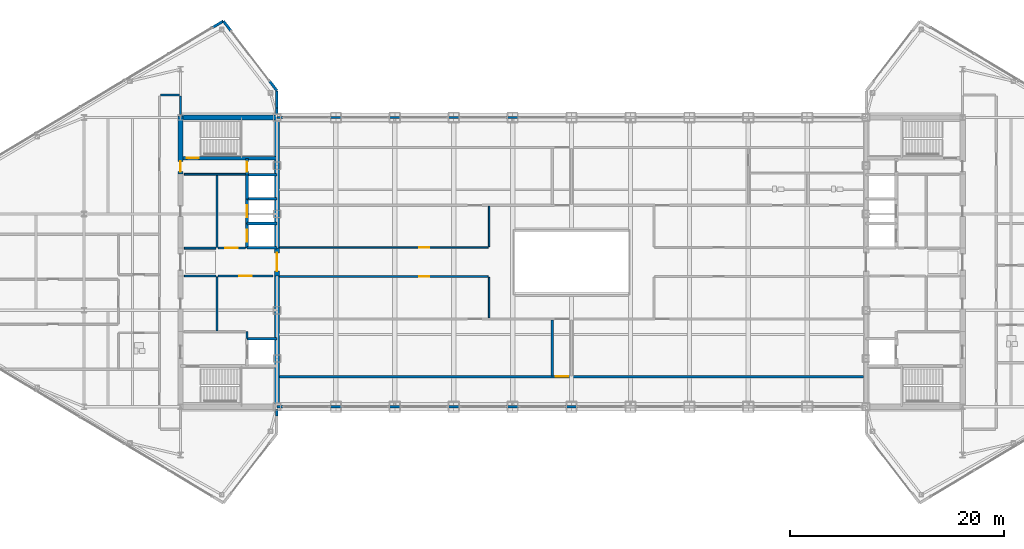
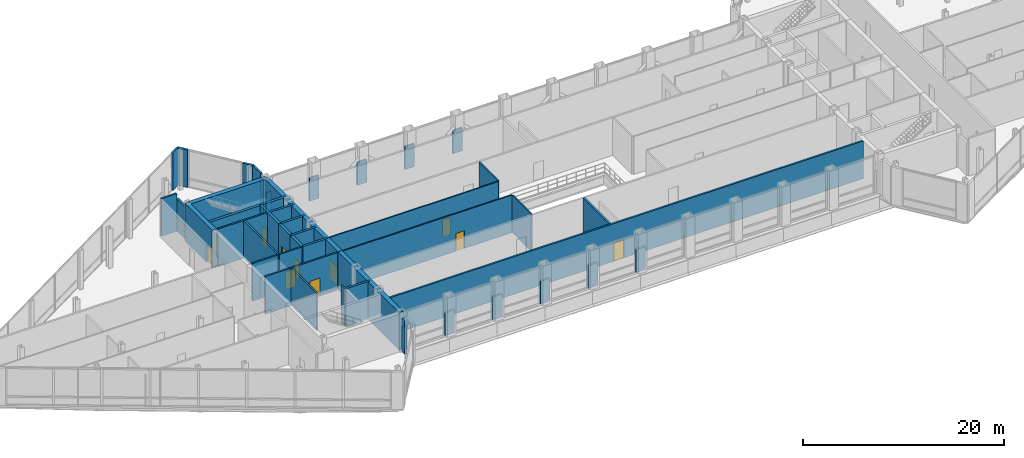
# One storey, part 23 of 30: 48 walls, 11 doors, 11 openings.
"""IFC4 building model written with IfcOpenShell, lengths in metres."""

from ifc_helpers import new_model, si_unit, direction, frame, frame_2d, origin, place, context, subcontext, project, spatial, rectangle, extrude, source, transform, mapped, material, layer, layer_set, type_object, type_shapes, element, fill, save


model = new_model("IFC4")

# Units and contexts
model_context = context("Model", 3, precision=1e-05, world=origin(), true_north=direction((0.0, 1.0)))
body_context = subcontext(model_context, "Body", "Model", "MODEL_VIEW")
ifc_project = project(units=[si_unit("LENGTHUNIT", "METRE"), si_unit("AREAUNIT", "SQUARE_METRE"), si_unit("VOLUMEUNIT", "CUBIC_METRE"), si_unit("PLANEANGLEUNIT", "RADIAN"), si_unit("MASSUNIT", "GRAM", prefix="KILO")], contexts=[model_context])

# Site, building, storey
site_placement = place(None, origin())
site = spatial("IfcSite", under=ifc_project, at=site_placement, CompositionType="ELEMENT")
building_placement = place(site_placement, origin())
building = spatial("IfcBuilding", under=site, at=building_placement, Name="Seokmaru Belvedere", CompositionType="ELEMENT")
storey_placement = place(building_placement, frame((0.0, 0.0, 234.60009765625)))
storey = spatial("IfcBuildingStorey", under=building, at=storey_placement, Name="L62", CompositionType="ELEMENT", Elevation=234.60009765625)

# Wall, opening, door
ifc_material_1 = material(Name="Fire-Rated Gypsum Shaftwall")
ifc_layer_1 = layer(ifc_material_1, 0.14990234375)
ifc_layer_set_1 = layer_set([ifc_layer_1], Name="Fire-Rated Gypsum Shaftwall")
wall_type_1 = type_object("IfcWallType", Name="Apartment Fire-Acoustic Room Partition 150", PredefinedType="PARTITIONING", material=ifc_layer_set_1)
wall_1_placement = place(storey_placement, frame((-27.2451171875, -1.35009765625, 0.0), z_axis=(0.0, 0.0, 1.0), x_axis=(1.0, 0.0, 0.0)))
wall_1 = element("IfcWall", 1, at=wall_1_placement, inside=storey, type_object=wall_type_1, Name="L62 Interior Partition 012", PredefinedType="PARTITIONING", context=body_context, shape_type="SweptSolid", body=[
    extrude(rectangle(XDim=19.460205078125, YDim=0.14990234375, at=frame_2d((9.72998046875, 0.0))), origin(), (0.0, 0.0, 1.0), 4.579833984375),
])
opening_1_placement = place(wall_1_placement, frame((13.02001953125, 0.0, 0.0)))
opening_1 = element("IfcOpeningElement", 2, at=opening_1_placement, cuts=wall_1, Name="Opening D05", PredefinedType="OPENING", context=body_context, shape_type="SweptSolid", body=[
    extrude(rectangle(XDim=0.949951171875, YDim=2.14990234375, at=frame_2d((0.47509765625, 1.074951171875))), frame((0.0, 0.0849609375, 0.0), z_axis=(0.0, -1.0, 0.0), x_axis=(1.0, 0.0, 0.0)), (0.0, 0.0, 1.0), 0.169921875),
])
ifc_material_2 = material(Name="Engineered White Oak Timber", Category="wood")
door_type_1 = type_object("IfcDoorType", Name="Apartment Interior Fire-Rated Oak Door 950x2150", OperationType="NOTDEFINED", PredefinedType="DOOR", material=ifc_material_2)
shared_shape_1 = source(origin(), body_context, "Body", "SweptSolid", [
    extrude(rectangle(XDim=0.949951171875, YDim=2.14990234375, at=frame_2d((0.47509765625, 1.074951171875))), frame((0.0, 0.02490234375, 0.0), z_axis=(0.0, -1.0, 0.0), x_axis=(1.0, 0.0, 0.0)), (0.0, 0.0, 1.0), 0.050048828125),
])
type_shapes(door_type_1, [shared_shape_1])
door_1_placement = place(opening_1_placement, origin())
door_1 = element("IfcDoor", 3, at=door_1_placement, inside=storey, type_object=door_type_1, Name="L62 Interior Door 023", OperationType="SINGLE_SWING_LEFT", OverallHeight=2.14990234375, OverallWidth=0.949951171875, PredefinedType="DOOR", context=body_context, shape_type="MappedRepresentation", body=[
    mapped(shared_shape_1, transform((0.0, 0.0, 0.0), scale=1.0)),
])
fill(opening_1, door_1)

wall_2_placement = place(storey_placement, frame((-27.2451171875, 1.35009765625, 0.0), z_axis=(0.0, 0.0, 1.0), x_axis=(1.0, 0.0, 0.0)))
wall_2 = element("IfcWall", 4, at=wall_2_placement, inside=storey, type_object=wall_type_1, Name="L62 Interior Partition 017", PredefinedType="PARTITIONING", context=body_context, shape_type="SweptSolid", body=[
    extrude(rectangle(XDim=19.460205078125, YDim=0.14990234375, at=frame_2d((9.72998046875, 0.0))), origin(), (0.0, 0.0, 1.0), 4.579833984375),
])
opening_2_placement = place(wall_2_placement, frame((13.02001953125, 0.0, 0.0)))
opening_2 = element("IfcOpeningElement", 5, at=opening_2_placement, cuts=wall_2, Name="Opening D05", PredefinedType="OPENING", context=body_context, shape_type="SweptSolid", body=[
    extrude(rectangle(XDim=0.949951171875, YDim=2.14990234375, at=frame_2d((0.47509765625, 1.074951171875))), frame((0.0, 0.0849609375, 0.0), z_axis=(0.0, -1.0, 0.0), x_axis=(1.0, 0.0, 0.0)), (0.0, 0.0, 1.0), 0.169921875),
])
door_2_placement = place(opening_2_placement, origin())
door_2 = element("IfcDoor", 6, at=door_2_placement, inside=storey, type_object=door_type_1, Name="L62 Interior Door 025", OperationType="SINGLE_SWING_RIGHT", OverallHeight=2.14990234375, OverallWidth=0.949951171875, PredefinedType="DOOR", context=body_context, shape_type="MappedRepresentation", body=[
    mapped(shared_shape_1, transform((0.0, 0.0, 0.0), scale=1.0)),
])
fill(opening_2, door_2)

# Walls
for number, where, z_axis, x_axis, name in (
    (7, (-7.699951171875, -5.215087890625, 0.0), (0.0, 0.0, 1.0), (0.0, 1.0, 0.0), "L62 Interior Partition 033"),
    (8, (-7.699951171875, 1.43505859375, 0.0), (0.0, 0.0, 1.0), (0.0, 1.0, 0.0), "L62 Interior Partition 034"),
):
    element("IfcWall", number, at=place(storey_placement, frame(where, z_axis=z_axis, x_axis=x_axis)), inside=storey, type_object=wall_type_1, Name=name, PredefinedType="PARTITIONING", context=body_context, shape_type="SweptSolid", body=[
        extrude(rectangle(XDim=3.780029296875, YDim=0.14990234375, at=frame_2d((1.89013671875, 0.0))), origin(), (0.0, 0.0, 1.0), 4.579833984375),
    ])
ifc_material_3 = material(Name="Anodised Bronze Aluminium", Category="aluminium")
ifc_layer_2 = layer(ifc_material_3, 0.2099609375)
ifc_layer_set_2 = layer_set([ifc_layer_2], Name="Anodised Bronze Aluminium")
wall_type_2 = type_object("IfcWallType", Name="Bridge Column Spandrel Closure Pier 210", PredefinedType="SOLIDWALL", material=ifc_layer_set_2)
for number, where, z_axis, x_axis, name in (
    (9, (-27.489990234375, -13.5, 0.0), (0.0, 0.0, 1.0), (1.0, 0.0, 0.0), "L62 Bridge South Column Closure Pier 01"),
    (10, (-27.489990234375, 13.5, 0.0), (0.0, 0.0, 1.0), (1.0, 0.0, 0.0), "L62 Bridge North Column Closure Pier 01"),
):
    element("IfcWall", number, at=place(storey_placement, frame(where, z_axis=z_axis, x_axis=x_axis)), inside=storey, type_object=wall_type_2, Name=name, PredefinedType="SOLIDWALL", context=body_context, shape_type="SweptSolid", body=[
        extrude(rectangle(XDim=0.5400390625, YDim=0.2099609375, at=frame_2d((0.27001953125, 0.0))), origin(), (0.0, 0.0, 1.0), 2.77978515625),
    ])
for number, where, z_axis, x_axis, name in (
    (11, (-22.550048828125, -13.5, 0.0), (0.0, 0.0, 1.0), (1.0, 0.0, 0.0), "L62 Bridge South Column Closure Pier 02"),
    (12, (-22.550048828125, 13.5, 0.0), (0.0, 0.0, 1.0), (1.0, 0.0, 0.0), "L62 Bridge North Column Closure Pier 02"),
    (13, (-17.050048828125, -13.5, 0.0), (0.0, 0.0, 1.0), (1.0, 0.0, 0.0), "L62 Bridge South Column Closure Pier 03"),
    (14, (-17.050048828125, 13.5, 0.0), (0.0, 0.0, 1.0), (1.0, 0.0, 0.0), "L62 Bridge North Column Closure Pier 03"),
    (15, (-11.550048828125, -13.5, 0.0), (0.0, 0.0, 1.0), (1.0, 0.0, 0.0), "L62 Bridge South Column Closure Pier 04"),
    (16, (-11.550048828125, 13.5, 0.0), (0.0, 0.0, 1.0), (1.0, 0.0, 0.0), "L62 Bridge North Column Closure Pier 04"),
    (17, (-6.050048828125, -13.5, 0.0), (0.0, 0.0, 1.0), (1.0, 0.0, 0.0), "L62 Bridge South Column Closure Pier 05"),
    (18, (-6.050048828125, 13.5, 0.0), (0.0, 0.0, 1.0), (1.0, 0.0, 0.0), "L62 Bridge North Column Closure Pier 05"),
    (19, (-0.550048828125, -13.5, 0.0), (0.0, 0.0, 1.0), (1.0, 0.0, 0.0), "L62 Bridge South Column Closure Pier 06"),
):
    element("IfcWall", number, at=place(storey_placement, frame(where, z_axis=z_axis, x_axis=x_axis)), inside=storey, type_object=wall_type_2, Name=name, PredefinedType="SOLIDWALL", context=body_context, shape_type="SweptSolid", body=[
        extrude(rectangle(XDim=1.10009765625, YDim=0.2099609375, at=frame_2d((0.550048828125, 0.0))), origin(), (0.0, 0.0, 1.0), 2.77978515625),
    ])
ifc_layer_3 = layer(ifc_material_1, 0.179931640625)
ifc_layer_set_3 = layer_set([ifc_layer_3], Name="Fire-Rated Gypsum Shaftwall")
wall_type_3 = type_object("IfcWallType", Name="Core Service Fire Partition 180", PredefinedType="PARTITIONING", material=ifc_layer_set_3)
wall_3_placement = place(storey_placement, frame((-30.300048828125, -7.1201171875, 0.0), z_axis=(0.0, 0.0, 1.0), x_axis=(0.0, 1.0, 0.0)))
element("IfcWall", 20, at=wall_3_placement, inside=storey, type_object=wall_type_3, Name="L62 West Firefighting Lobby East Closure Wall", PredefinedType="PARTITIONING", context=body_context, shape_type="SweptSolid", body=[
    extrude(rectangle(XDim=0.6201171875, YDim=0.179931640625, at=frame_2d((0.31005859375, 0.0))), origin(), (0.0, 0.0, 1.0), 4.579833984375),
])
wall_4_placement = place(storey_placement, frame((-36.14990234375, 8.199951171875, 0.0), z_axis=(0.0, 0.0, 1.0), x_axis=(1.0, 0.0, 0.0)))
element("IfcWall", 21, at=wall_4_placement, inside=storey, type_object=wall_type_3, Name="L62 West Smokeproof Vestibule Partition", PredefinedType="PARTITIONING", context=body_context, shape_type="SweptSolid", body=[
    extrude(rectangle(XDim=5.699951171875, YDim=0.179931640625, at=frame_2d((2.85009765625, 0.0))), origin(), (0.0, 0.0, 1.0), 4.579833984375),
])
wall_5_placement = place(storey_placement, frame((-33.10009765625, -6.419921875, 0.0), z_axis=(0.0, 0.0, 1.0), x_axis=(0.0, 1.0, 0.0)))
element("IfcWall", 22, at=wall_5_placement, inside=storey, type_object=wall_type_3, Name="L62 West South Core Service Back Wall", PredefinedType="PARTITIONING", context=body_context, shape_type="SweptSolid", body=[
    extrude(rectangle(XDim=5.0400390625, YDim=0.179931640625, at=frame_2d((2.52001953125, 0.0))), origin(), (0.0, 0.0, 1.0), 4.579833984375),
])
wall_6_placement = place(storey_placement, frame((-33.10009765625, 1.3798828125, 0.0), z_axis=(0.0, 0.0, 1.0), x_axis=(0.0, 1.0, 0.0)))
element("IfcWall", 23, at=wall_6_placement, inside=storey, type_object=wall_type_3, Name="L62 West North Core Service Back Wall", PredefinedType="PARTITIONING", context=body_context, shape_type="SweptSolid", body=[
    extrude(rectangle(XDim=6.740234375, YDim=0.179931640625, at=frame_2d((3.3701171875, 0.0))), origin(), (0.0, 0.0, 1.0), 4.579833984375),
])

# Wall, opening, door
wall_7_placement = place(storey_placement, frame((-33.02001953125, -1.300048828125, 0.0), z_axis=(0.0, 0.0, 1.0), x_axis=(1.0, 0.0, 0.0)))
wall_7 = element("IfcWall", 24, at=wall_7_placement, inside=storey, type_object=wall_type_3, Name="L62 West South Lift Lobby Foyer Wall", PredefinedType="PARTITIONING", context=body_context, shape_type="SweptSolid", body=[
    extrude(rectangle(XDim=5.169921875, YDim=0.179931640625, at=frame_2d((2.5849609375, 0.0))), origin(), (0.0, 0.0, 1.0), 4.579833984375),
])
opening_3_placement = place(wall_7_placement, frame((2.010009765625, 0.0, 0.0)))
opening_3 = element("IfcOpeningElement", 25, at=opening_3_placement, cuts=wall_7, Name="Opening D02", PredefinedType="OPENING", context=body_context, shape_type="SweptSolid", body=[
    extrude(rectangle(XDim=1.14990234375, YDim=2.199951171875, at=frame_2d((0.574951171875, 1.10009765625))), frame((0.0, 0.10009765625, 0.0), z_axis=(0.0, -1.0, 0.0), x_axis=(1.0, 0.0, 0.0)), (0.0, 0.0, 1.0), 0.199951171875),
])
ifc_material_4 = material(Name="Fire-Rated Steel Leaf", Category="steel")
door_type_2 = type_object("IfcDoorType", Name="Lobby and Vestibule Fire Door 1150x2200", OperationType="NOTDEFINED", PredefinedType="DOOR", material=ifc_material_4)
shared_shape_2 = source(origin(), body_context, "Body", "SweptSolid", [
    extrude(rectangle(XDim=1.14990234375, YDim=2.199951171875, at=frame_2d((0.574951171875, 1.10009765625))), frame((0.0, 0.02490234375, 0.0), z_axis=(0.0, -1.0, 0.0), x_axis=(1.0, 0.0, 0.0)), (0.0, 0.0, 1.0), 0.050048828125),
])
type_shapes(door_type_2, [shared_shape_2])
door_3_placement = place(opening_3_placement, origin())
door_3 = element("IfcDoor", 26, at=door_3_placement, inside=storey, type_object=door_type_2, Name="L62 West South Core Foyer Door", OperationType="SINGLE_SWING_LEFT", OverallHeight=2.199951171875, OverallWidth=1.14990234375, PredefinedType="DOOR", context=body_context, shape_type="MappedRepresentation", body=[
    mapped(shared_shape_2, transform((0.0, 0.0, 0.0), scale=1.0)),
])
fill(opening_3, door_3)

wall_8_placement = place(storey_placement, frame((-33.02001953125, 1.300048828125, 0.0), z_axis=(0.0, 0.0, 1.0), x_axis=(1.0, 0.0, 0.0)))
wall_8 = element("IfcWall", 27, at=wall_8_placement, inside=storey, type_object=wall_type_3, Name="L62 West North Lift Lobby Foyer Wall", PredefinedType="PARTITIONING", context=body_context, shape_type="SweptSolid", body=[
    extrude(rectangle(XDim=2.570068359375, YDim=0.179931640625, at=frame_2d((1.28515625, 0.0))), origin(), (0.0, 0.0, 1.0), 4.579833984375),
])
opening_4_placement = place(wall_8_placement, frame((0.7099609375, 0.0, 0.0)))
opening_4 = element("IfcOpeningElement", 28, at=opening_4_placement, cuts=wall_8, Name="Opening D02", PredefinedType="OPENING", context=body_context, shape_type="SweptSolid", body=[
    extrude(rectangle(XDim=1.14990234375, YDim=2.199951171875, at=frame_2d((0.574951171875, 1.10009765625))), frame((0.0, 0.10009765625, 0.0), z_axis=(0.0, -1.0, 0.0), x_axis=(1.0, 0.0, 0.0)), (0.0, 0.0, 1.0), 0.199951171875),
])
door_4_placement = place(opening_4_placement, origin())
door_4 = element("IfcDoor", 29, at=door_4_placement, inside=storey, type_object=door_type_2, Name="L62 West North Lift Lobby Door", OperationType="SINGLE_SWING_RIGHT", OverallHeight=2.199951171875, OverallWidth=1.14990234375, PredefinedType="DOOR", context=body_context, shape_type="MappedRepresentation", body=[
    mapped(shared_shape_2, transform((0.0, 0.0, 0.0), scale=1.0)),
])
fill(opening_4, door_4)

# Walls
for number, where, z_axis, x_axis, name in (
    (30, (-36.14990234375, -1.300048828125, 0.0), (0.0, 0.0, 1.0), (1.0, 0.0, 0.0), "L62 West Foyer Side Wall S"),
    (31, (-36.14990234375, 1.300048828125, 0.0), (0.0, 0.0, 1.0), (1.0, 0.0, 0.0), "L62 West Foyer Side Wall N"),
):
    element("IfcWall", number, at=place(storey_placement, frame(where, z_axis=z_axis, x_axis=x_axis)), inside=storey, type_object=wall_type_3, Name=name, PredefinedType="PARTITIONING", context=body_context, shape_type="SweptSolid", body=[
        extrude(rectangle(XDim=2.949951171875, YDim=0.179931640625, at=frame_2d((1.47509765625, 0.0))), origin(), (0.0, 0.0, 1.0), 4.579833984375),
    ])
ifc_material_5 = material(Name="Concrete C50 (50 MPa)", Category="concrete")
ifc_layer_4 = layer(ifc_material_5, 0.25)
ifc_layer_set_4 = layer_set([ifc_layer_4], Name="Concrete C50 (50 MPa)")
wall_type_4 = type_object("IfcWallType", Name="Hoistway Transverse Concrete Divider Wall 250", PredefinedType="SHEAR", material=ifc_layer_set_4)
for number, where, z_axis, x_axis, name in (
    (32, (-30.300048828125, -7.14990234375, 0.0), (0.0, 0.0, 1.0), (1.0, 0.0, 0.0), "L62 West Hoistway Divider Core Wall 1"),
    (33, (-30.300048828125, 1.35009765625, 0.0), (0.0, 0.0, 1.0), (1.0, 0.0, 0.0), "L62 West Hoistway Divider Core Wall 2"),
    (34, (-30.300048828125, 3.60009765625, 0.0), (0.0, 0.0, 1.0), (1.0, 0.0, 0.0), "L62 West Hoistway Divider Core Wall 3"),
    (35, (-30.300048828125, 5.89990234375, 0.0), (0.0, 0.0, 1.0), (1.0, 0.0, 0.0), "L62 West Hoistway Divider Core Wall 4"),
    (36, (-30.300048828125, 8.14990234375, 0.0), (0.0, 0.0, 1.0), (1.0, 0.0, 0.0), "L62 West Hoistway Divider Core Wall 5"),
):
    element("IfcWall", number, at=place(storey_placement, frame(where, z_axis=z_axis, x_axis=x_axis)), inside=storey, type_object=wall_type_4, Name=name, PredefinedType="SHEAR", context=body_context, shape_type="SweptSolid", body=[
        extrude(rectangle(XDim=2.800048828125, YDim=0.25, at=frame_2d((1.39990234375, 0.0))), origin(), (0.0, 0.0, 1.0), 4.579833984375),
    ])

# Wall, opening, door
ifc_layer_5 = layer(ifc_material_1, 0.199951171875)
ifc_layer_set_5 = layer_set([ifc_layer_5], Name="Fire-Rated Gypsum Shaftwall")
wall_type_5 = type_object("IfcWallType", Name="Inter-Tenancy Fire Compartment Partition 200", PredefinedType="PARTITIONING", material=ifc_layer_set_5)
wall_9_placement = place(storey_placement, frame((-27.2451171875, -10.699951171875, 0.0), z_axis=(0.0, 0.0, 1.0), x_axis=(1.0, 0.0, 0.0)))
wall_9 = element("IfcWall", 37, at=wall_9_placement, inside=storey, type_object=wall_type_5, Name="L62 Interior Partition 003", PredefinedType="PARTITIONING", context=body_context, shape_type="SweptSolid", body=[
    extrude(rectangle(XDim=54.490234375, YDim=0.199951171875, at=frame_2d((27.2451171875, 0.0))), origin(), (0.0, 0.0, 1.0), 4.579833984375),
])
opening_5_placement = place(wall_9_placement, frame((25.77001953125, 0.0, 0.0)))
opening_5 = element("IfcOpeningElement", 38, at=opening_5_placement, cuts=wall_9, Name="Opening D02", PredefinedType="OPENING", context=body_context, shape_type="SweptSolid", body=[
    extrude(rectangle(XDim=1.14990234375, YDim=2.199951171875, at=frame_2d((0.574951171875, 1.10009765625))), frame((0.0, 0.10986328125, 0.0), z_axis=(0.0, -1.0, 0.0), x_axis=(1.0, 0.0, 0.0)), (0.0, 0.0, 1.0), 0.219970703125),
])
door_5_placement = place(opening_5_placement, origin())
door_5 = element("IfcDoor", 39, at=door_5_placement, inside=storey, type_object=door_type_2, Name="L62 Interior Door 029", OperationType="SINGLE_SWING_LEFT", OverallHeight=2.199951171875, OverallWidth=1.14990234375, PredefinedType="DOOR", context=body_context, shape_type="MappedRepresentation", body=[
    mapped(shared_shape_2, transform((0.0, 0.0, 0.0), scale=1.0)),
])
fill(opening_5, door_5)

# Walls
wall_10_placement = place(storey_placement, frame((-38.364990234375, 15.60009765625, 0.0), z_axis=(0.0, 0.0, 1.0), x_axis=(1.0, 0.0, 0.0)))
element("IfcWall", 40, at=wall_10_placement, inside=storey, type_object=wall_type_5, Name="L62 Interior Partition 024", PredefinedType="PARTITIONING", context=body_context, shape_type="SweptSolid", body=[
    extrude(rectangle(XDim=1.780029296875, YDim=0.199951171875, at=frame_2d((0.89013671875, 0.0))), origin(), (0.0, 0.0, 1.0), 4.579833984375),
])
wall_11_placement = place(storey_placement, frame((-36.5, 13.7548828125, 0.0), z_axis=(0.0, 0.0, 1.0), x_axis=(0.0, 1.0, 0.0)))
element("IfcWall", 41, at=wall_11_placement, inside=storey, type_object=wall_type_5, Name="L62 Interior Partition 032", PredefinedType="PARTITIONING", context=body_context, shape_type="SweptSolid", body=[
    extrude(rectangle(XDim=1.760009765625, YDim=0.199951171875, at=frame_2d((0.8798828125, 0.0))), origin(), (0.0, 0.0, 1.0), 3.97998046875),
])
wall_12_placement = place(storey_placement, frame((-1.800048828125, -10.614990234375, 0.0), z_axis=(0.0, 0.0, 1.0), x_axis=(0.0, 1.0, 0.0)))
element("IfcWall", 42, at=wall_12_placement, inside=storey, type_object=wall_type_5, Name="L62 Interior Partition 035", PredefinedType="PARTITIONING", context=body_context, shape_type="SweptSolid", body=[
    extrude(rectangle(XDim=5.22998046875, YDim=0.199951171875, at=frame_2d((2.614990234375, 0.0))), origin(), (0.0, 0.0, 1.0), 4.579833984375),
])

# Wall, opening, door
ifc_layer_6 = layer(ifc_material_5, 0.300048828125)
ifc_layer_set_6 = layer_set([ifc_layer_6], Name="Concrete C50 (50 MPa)")
wall_type_6 = type_object("IfcWallType", Name="Internal Core Stair and Hoistway Wall 300", PredefinedType="SHEAR", material=ifc_layer_set_6)
wall_13_placement = place(storey_placement, frame((-36.5, 9.699951171875, 0.0), z_axis=(0.0, 0.0, 1.0), x_axis=(1.0, 0.0, 0.0)))
wall_13 = element("IfcWall", 43, at=wall_13_placement, inside=storey, type_object=wall_type_6, Name="L62 West Stair ST-2 Enclosure Wall", PredefinedType="SHEAR", context=body_context, shape_type="SweptSolid", body=[
    extrude(rectangle(XDim=9.0, YDim=0.300048828125, at=frame_2d((4.5, 0.0))), origin(), (0.0, 0.0, 1.0), 4.579833984375),
])
opening_6_placement = place(wall_13_placement, frame((0.60009765625, 0.0, 0.0)))
opening_6 = element("IfcOpeningElement", 44, at=opening_6_placement, cuts=wall_13, Name="Opening D01", PredefinedType="OPENING", context=body_context, shape_type="SweptSolid", body=[
    extrude(rectangle(XDim=1.10009765625, YDim=2.199951171875, at=frame_2d((0.550048828125, 1.10009765625))), frame((0.0, 0.16015625, 0.0), z_axis=(0.0, -1.0, 0.0), x_axis=(1.0, 0.0, 0.0)), (0.0, 0.0, 1.0), 0.320068359375),
])
door_type_3 = type_object("IfcDoorType", Name="Special Escape Stair Smokeproof Fire Door 1100x2200", OperationType="NOTDEFINED", PredefinedType="DOOR", material=ifc_material_4)
shared_shape_3 = source(origin(), body_context, "Body", "SweptSolid", [
    extrude(rectangle(XDim=1.10009765625, YDim=2.199951171875, at=frame_2d((0.550048828125, 1.10009765625))), frame((0.0, 0.02490234375, 0.0), z_axis=(0.0, -1.0, 0.0), x_axis=(1.0, 0.0, 0.0)), (0.0, 0.0, 1.0), 0.050048828125),
])
type_shapes(door_type_3, [shared_shape_3])
door_6_placement = place(opening_6_placement, origin())
door_6 = element("IfcDoor", 45, at=door_6_placement, inside=storey, type_object=door_type_3, Name="L62 West Special Escape Stair ST-2 Door", OperationType="SINGLE_SWING_RIGHT", OverallHeight=2.199951171875, OverallWidth=1.10009765625, PredefinedType="DOOR", context=body_context, shape_type="MappedRepresentation", body=[
    mapped(shared_shape_3, transform((0.0, 0.0, 0.0), scale=1.0)),
])
fill(opening_6, door_6)

wall_14_placement = place(storey_placement, frame((-30.300048828125, 1.320068359375, 0.0), z_axis=(0.0, 0.0, 1.0), x_axis=(0.0, 1.0, 0.0)))
wall_14 = element("IfcWall", 46, at=wall_14_placement, inside=storey, type_object=wall_type_6, Name="L62 West North Hoistway Wall PH1", PredefinedType="SHEAR", context=body_context, shape_type="SweptSolid", body=[
    extrude(rectangle(XDim=2.280029296875, YDim=0.300048828125, at=frame_2d((1.14013671875, 0.0))), origin(), (0.0, 0.0, 1.0), 4.579833984375),
])
opening_7_placement = place(wall_14_placement, frame((0.590087890625, 0.0, 0.0)))
opening_7 = element("IfcOpeningElement", 47, at=opening_7_placement, cuts=wall_14, Name="Opening LD1", PredefinedType="OPENING", context=body_context, shape_type="SweptSolid", body=[
    extrude(rectangle(XDim=1.10009765625, YDim=2.199951171875, at=frame_2d((0.550048828125, 1.10009765625))), frame((0.0, 0.16015625, 0.0), z_axis=(0.0, -1.0, 0.0), x_axis=(1.0, 0.0, 0.0)), (0.0, 0.0, 1.0), 0.320068359375),
])
ifc_material_6 = material(Name="Stainless Steel 316", Category="steel")
door_type_4 = type_object("IfcDoorType", Name="Passenger Lift Sliding Landing Door 1100x2200", OperationType="DOUBLE_DOOR_SLIDING", PredefinedType="DOOR", material=ifc_material_6)
shared_shape_4 = source(origin(), body_context, "Body", "SweptSolid", [
    extrude(rectangle(XDim=1.10009765625, YDim=2.199951171875, at=frame_2d((0.550048828125, 1.10009765625))), frame((0.0, 0.02490234375, 0.0), z_axis=(0.0, -1.0, 0.0), x_axis=(1.0, 0.0, 0.0)), (0.0, 0.0, 1.0), 0.050048828125),
])
type_shapes(door_type_4, [shared_shape_4])
door_7_placement = place(opening_7_placement, origin())
door_7 = element("IfcDoor", 48, at=door_7_placement, inside=storey, type_object=door_type_4, Name="L62 West High-Rise Lift PH-1 Landing Door", OperationType="DOUBLE_DOOR_SLIDING", OverallHeight=2.199951171875, OverallWidth=1.10009765625, PredefinedType="DOOR", context=body_context, shape_type="MappedRepresentation", body=[
    mapped(shared_shape_4, transform((0.0, 0.0, 0.0), scale=1.0)),
])
fill(opening_7, door_7)

wall_15_placement = place(storey_placement, frame((-30.300048828125, 3.60009765625, 0.0), z_axis=(0.0, 0.0, 1.0), x_axis=(0.0, 1.0, 0.0)))
wall_15 = element("IfcWall", 49, at=wall_15_placement, inside=storey, type_object=wall_type_6, Name="L62 West North Hoistway Wall PH2", PredefinedType="SHEAR", context=body_context, shape_type="SweptSolid", body=[
    extrude(rectangle(XDim=2.2998046875, YDim=0.300048828125, at=frame_2d((1.14990234375, 0.0))), origin(), (0.0, 0.0, 1.0), 4.579833984375),
])
opening_8_placement = place(wall_15_placement, frame((0.60009765625, 0.0, 0.0)))
opening_8 = element("IfcOpeningElement", 50, at=opening_8_placement, cuts=wall_15, Name="Opening LD1", PredefinedType="OPENING", context=body_context, shape_type="SweptSolid", body=[
    extrude(rectangle(XDim=1.10009765625, YDim=2.199951171875, at=frame_2d((0.550048828125, 1.10009765625))), frame((0.0, 0.16015625, 0.0), z_axis=(0.0, -1.0, 0.0), x_axis=(1.0, 0.0, 0.0)), (0.0, 0.0, 1.0), 0.320068359375),
])
door_8_placement = place(opening_8_placement, origin())
door_8 = element("IfcDoor", 51, at=door_8_placement, inside=storey, type_object=door_type_4, Name="L62 West High-Rise Lift PH-2 Landing Door", OperationType="DOUBLE_DOOR_SLIDING", OverallHeight=2.199951171875, OverallWidth=1.10009765625, PredefinedType="DOOR", context=body_context, shape_type="MappedRepresentation", body=[
    mapped(shared_shape_4, transform((0.0, 0.0, 0.0), scale=1.0)),
])
fill(opening_8, door_8)

# Wall
wall_16_placement = place(storey_placement, frame((-30.300048828125, 5.89990234375, 0.0), z_axis=(0.0, 0.0, 1.0), x_axis=(0.0, 1.0, 0.0)))
element("IfcWall", 52, at=wall_16_placement, inside=storey, type_object=wall_type_6, Name="L62 West North Hoistway Wall OBS", PredefinedType="SHEAR", context=body_context, shape_type="SweptSolid", body=[
    extrude(rectangle(XDim=2.25, YDim=0.300048828125, at=frame_2d((1.125, 0.0))), origin(), (0.0, 0.0, 1.0), 4.579833984375),
])

# Wall, opening, door
wall_17_placement = place(storey_placement, frame((-30.300048828125, 8.14990234375, 0.0), z_axis=(0.0, 0.0, 1.0), x_axis=(0.0, 1.0, 0.0)))
wall_17 = element("IfcWall", 53, at=wall_17_placement, inside=storey, type_object=wall_type_6, Name="L62 West Electrical Riser Front Wall", PredefinedType="SHEAR", context=body_context, shape_type="SweptSolid", body=[
    extrude(rectangle(XDim=1.530029296875, YDim=0.300048828125, at=frame_2d((0.76513671875, 0.0))), origin(), (0.0, 0.0, 1.0), 4.579833984375),
])
opening_9_placement = place(wall_17_placement, frame((0.284912109375, 0.0, 0.0)))
opening_9 = element("IfcOpeningElement", 54, at=opening_9_placement, cuts=wall_17, Name="Opening D04", PredefinedType="OPENING", context=body_context, shape_type="SweptSolid", body=[
    extrude(rectangle(XDim=0.949951171875, YDim=2.14990234375, at=frame_2d((0.47509765625, 1.074951171875))), frame((0.0, 0.16015625, 0.0), z_axis=(0.0, -1.0, 0.0), x_axis=(1.0, 0.0, 0.0)), (0.0, 0.0, 1.0), 0.320068359375),
])
door_type_5 = type_object("IfcDoorType", Name="Core Service Room Fire Door 950x2150", OperationType="NOTDEFINED", PredefinedType="DOOR", material=ifc_material_4)
shared_shape_5 = source(origin(), body_context, "Body", "SweptSolid", [
    extrude(rectangle(XDim=0.949951171875, YDim=2.14990234375, at=frame_2d((0.47509765625, 1.074951171875))), frame((0.0, 0.02490234375, 0.0), z_axis=(0.0, -1.0, 0.0), x_axis=(1.0, 0.0, 0.0)), (0.0, 0.0, 1.0), 0.050048828125),
])
type_shapes(door_type_5, [shared_shape_5])
door_9_placement = place(opening_9_placement, origin())
door_9 = element("IfcDoor", 55, at=door_9_placement, inside=storey, type_object=door_type_5, Name="L62 West Electrical Riser Access Door", OperationType="SINGLE_SWING_LEFT", OverallHeight=2.14990234375, OverallWidth=0.949951171875, PredefinedType="DOOR", context=body_context, shape_type="MappedRepresentation", body=[
    mapped(shared_shape_5, transform((0.0, 0.0, 0.0), scale=1.0)),
])
fill(opening_9, door_9)

# Walls
ifc_layer_7 = layer(ifc_material_3, 0.239990234375)
ifc_layer_set_7 = layer_set([ifc_layer_7], Name="Anodised Bronze Aluminium")
wall_type_7 = type_object("IfcWallType", Name="Tower Corner Spandrel Closure Wall 240", PredefinedType="SOLIDWALL", material=ifc_layer_set_7)
for number, where, z_axis, x_axis, name in (
    (56, (-27.5, -14.374755859375, 0.0), (0.0, 0.0, 1.0), (0.0, 1.0, 0.0), "L62 W Shoulder Closure Wall 1 Part 2"),
    (57, (-27.5, 13.7548828125, 0.0), (0.0, 0.0, 1.0), (0.0, 1.0, 0.0), "L62 W Shoulder Closure Wall 2"),
):
    element("IfcWall", number, at=place(storey_placement, frame(where, z_axis=z_axis, x_axis=x_axis)), inside=storey, type_object=wall_type_7, Name=name, PredefinedType="SOLIDWALL", context=body_context, shape_type="SweptSolid", body=[
        extrude(rectangle(XDim=0.619873046875, YDim=0.239990234375, at=frame_2d((0.31005859375, 0.0))), origin(), (0.0, 0.0, 1.0), 4.079833984375),
    ])
wall_18_placement = place(storey_placement, frame((-27.5, 14.374755859375, 0.0), z_axis=(0.0, 0.0, 1.0), x_axis=(0.0, 1.0, 0.0)))
element("IfcWall", 58, at=wall_18_placement, inside=storey, type_object=wall_type_7, Name="L62 W Shoulder Closure Wall 2 Part 2", PredefinedType="SOLIDWALL", context=body_context, shape_type="SweptSolid", body=[
    extrude(rectangle(XDim=1.605224609375, YDim=0.239990234375, at=frame_2d((0.802734375, 0.0))), origin(), (0.0, 0.0, 1.0), 4.579833984375),
])
for number, where, z_axis, x_axis, name in (
    (59, (-27.506103515625, 16.0078125, 0.0), (0.0, 0.0, 1.0), (-0.609617623633, 0.792695624408, 0.0), "L62 W Corner Closure Pier 2A"),
    (60, (-31.798828125, 21.58837890625, 0.0), (0.0, 0.0, 1.0), (-0.609617623633, 0.792695624408, 0.0), "L62 W Corner Closure Pier 2B"),
    (61, (-32.508544921875, 22.494873046875, 0.0), (0.0, 0.0, 1.0), (-0.85743623509, -0.514590228002, 0.0), "L62 W Corner Closure Pier 3A"),
):
    element("IfcWall", number, at=place(storey_placement, frame(where, z_axis=z_axis, x_axis=x_axis)), inside=storey, type_object=wall_type_7, Name=name, PredefinedType="SOLIDWALL", context=body_context, shape_type="SweptSolid", body=[
        extrude(rectangle(XDim=1.14013671875, YDim=0.239990234375, at=frame_2d((0.570068359375, 0.0))), origin(), (0.0, 0.0, 1.0), 4.579833984375),
    ])
ifc_layer_8 = layer(ifc_material_5, 0.5)
ifc_layer_set_8 = layer_set([ifc_layer_8], Name="Concrete C50 (50 MPa)")
wall_type_8 = type_object("IfcWallType", Name="Upper Tower Reinforced Concrete Core Wall 500", PredefinedType="SHEAR", material=ifc_layer_set_8)
for number, where, z_axis, x_axis, name in (
    (62, (-27.5, -13.5, 0.0), (0.0, 0.0, 1.0), (0.0, 1.0, 0.0), "L62 West Portal Spine Core Wall South"),
    (63, (-27.5, 1.300048828125, 0.0), (0.0, 0.0, 1.0), (0.0, 1.0, 0.0), "L62 West Portal Spine Core Wall North"),
):
    element("IfcWall", number, at=place(storey_placement, frame(where, z_axis=z_axis, x_axis=x_axis)), inside=storey, type_object=wall_type_8, Name=name, PredefinedType="SHEAR", context=body_context, shape_type="SweptSolid", body=[
        extrude(rectangle(XDim=12.199951171875, YDim=0.5, at=frame_2d((6.10009765625, 0.0))), origin(), (0.0, 0.0, 1.0), 4.579833984375),
    ])

# Wall, opening, door
wall_19_placement = place(storey_placement, frame((-27.5, -1.300048828125, 0.0), z_axis=(0.0, 0.0, 1.0), x_axis=(0.0, 1.0, 0.0)))
wall_19 = element("IfcWall", 64, at=wall_19_placement, inside=storey, type_object=wall_type_8, Name="L62 West Portal Spine Core Wall Center", PredefinedType="SHEAR", context=body_context, shape_type="SweptSolid", body=[
    extrude(rectangle(XDim=2.60009765625, YDim=0.5, at=frame_2d((1.300048828125, 0.0))), origin(), (0.0, 0.0, 1.0), 4.579833984375),
])
opening_10_placement = place(wall_19_placement, frame((0.449951171875, 0.0, 0.0)))
opening_10 = element("IfcOpeningElement", 65, at=opening_10_placement, cuts=wall_19, Name="Opening D09", PredefinedType="OPENING", context=body_context, shape_type="SweptSolid", body=[
    extrude(rectangle(XDim=1.699951171875, YDim=2.35009765625, at=frame_2d((0.85009765625, 1.175048828125))), frame((0.0, 0.260009765625, 0.0), z_axis=(0.0, -1.0, 0.0), x_axis=(1.0, 0.0, 0.0)), (0.0, 0.0, 1.0), 0.52001953125),
])
door_type_6 = type_object("IfcDoorType", Name="Sky-Gate Bridge Inter-Tower Fire Door 1700x2350", OperationType="DOUBLE_SWING_LEFT", PredefinedType="DOOR", material=ifc_material_4)
shared_shape_6 = source(origin(), body_context, "Body", "SweptSolid", [
    extrude(rectangle(XDim=1.699951171875, YDim=2.35009765625, at=frame_2d((0.85009765625, 1.175048828125))), frame((0.0, 0.02490234375, 0.0), z_axis=(0.0, -1.0, 0.0), x_axis=(1.0, 0.0, 0.0)), (0.0, 0.0, 1.0), 0.050048828125),
])
type_shapes(door_type_6, [shared_shape_6])
door_10_placement = place(opening_10_placement, origin())
door_10 = element("IfcDoor", 66, at=door_10_placement, inside=storey, type_object=door_type_6, Name="L62 West Inter-Tower Fire Door", OperationType="DOUBLE_SWING_LEFT", OverallHeight=2.35009765625, OverallWidth=1.699951171875, PredefinedType="DOOR", context=body_context, shape_type="MappedRepresentation", body=[
    mapped(shared_shape_6, transform((0.0, 0.0, 0.0), scale=1.0)),
])
fill(opening_10, door_10)

# Wall
wall_20_placement = place(storey_placement, frame((-36.5, 13.5, 0.0), z_axis=(0.0, 0.0, 1.0), x_axis=(1.0, 0.0, 0.0)))
element("IfcWall", 67, at=wall_20_placement, inside=storey, type_object=wall_type_8, Name="L62 West North Core Wall", PredefinedType="SHEAR", context=body_context, shape_type="SweptSolid", body=[
    extrude(rectangle(XDim=9.0, YDim=0.5, at=frame_2d((4.5, 0.0))), origin(), (0.0, 0.0, 1.0), 4.579833984375),
])

# Wall, opening, door
wall_21_placement = place(storey_placement, frame((-36.5, 8.199951171875, 0.0), z_axis=(0.0, 0.0, 1.0), x_axis=(0.0, 1.0, 0.0)))
wall_21 = element("IfcWall", 68, at=wall_21_placement, inside=storey, type_object=wall_type_8, Name="L62 West West Core Wall VST", PredefinedType="SHEAR", context=body_context, shape_type="SweptSolid", body=[
    extrude(rectangle(XDim=5.449951171875, YDim=0.5, at=frame_2d((2.72509765625, 0.0))), origin(), (0.0, 0.0, 1.0), 4.579833984375),
])
opening_11_placement = place(wall_21_placement, frame((0.2451171875, 0.0, 0.0)))
opening_11 = element("IfcOpeningElement", 69, at=opening_11_placement, cuts=wall_21, Name="Opening D04", PredefinedType="OPENING", context=body_context, shape_type="SweptSolid", body=[
    extrude(rectangle(XDim=0.949951171875, YDim=2.14990234375, at=frame_2d((0.47509765625, 1.074951171875))), frame((0.0, 0.260009765625, 0.0), z_axis=(0.0, -1.0, 0.0), x_axis=(1.0, 0.0, 0.0)), (0.0, 0.0, 1.0), 0.52001953125),
])
door_11_placement = place(opening_11_placement, frame((0.949951171875, 0.0, 0.0), z_axis=(0.0, 0.0, 1.0), x_axis=(-1.0, 0.0, 0.0)))
door_11 = element("IfcDoor", 70, at=door_11_placement, inside=storey, type_object=door_type_5, Name="L62 West Smokeproof Vestibule Door", OperationType="SINGLE_SWING_RIGHT", OverallHeight=2.14990234375, OverallWidth=0.949951171875, PredefinedType="DOOR", context=body_context, shape_type="MappedRepresentation", body=[
    mapped(shared_shape_5, transform((0.0, 0.0, 0.0), scale=1.0)),
])
fill(opening_11, door_11)

save(model, "model.ifc")
